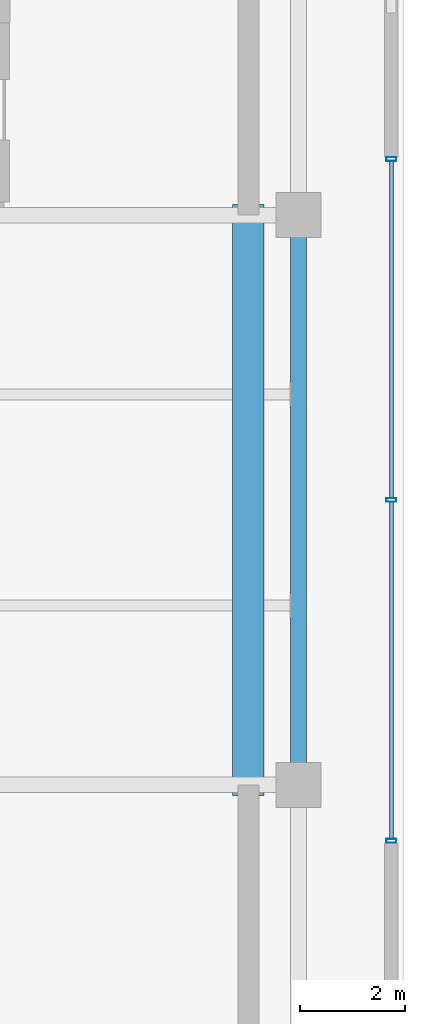
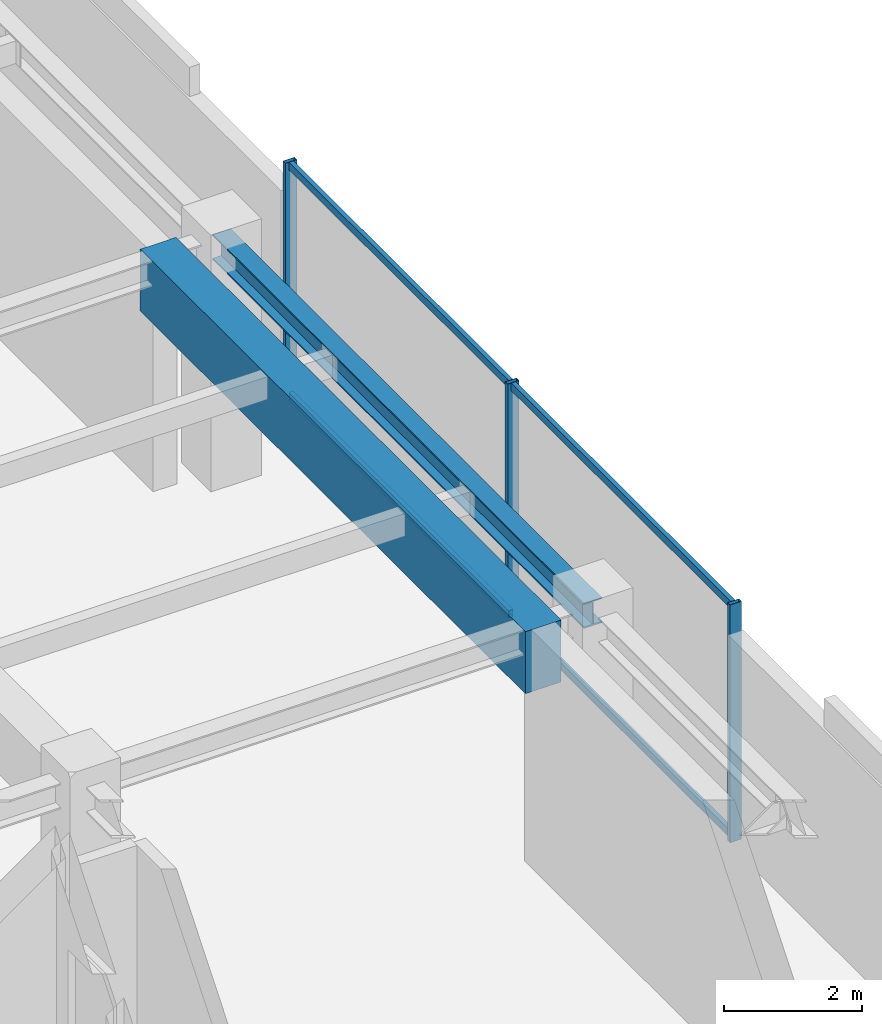
# One storey, part 12 of 21: 7 members, 2 beams, 1 element without a shape of its own.
"""IFC4 building model written with IfcOpenShell, lengths in metres."""

from ifc_helpers import new_model, si_unit, direction, frame, origin, origin_2d, place, context, subcontext, project, spatial, rectangle, hollow_rectangle, i_section, extrude, source, transform, mapped, material, material_profile, profile_set, type_object, element, aggregate, save


model = new_model("IFC4")

# Units and contexts
model_context = context("Model", 3, precision=1e-05, world=origin(), true_north=direction((0.0, 1.0)))
body_context = subcontext(model_context, "Body", "Model", "MODEL_VIEW")
ifc_project = project(units=[si_unit("LENGTHUNIT", "METRE"), si_unit("AREAUNIT", "SQUARE_METRE"), si_unit("VOLUMEUNIT", "CUBIC_METRE"), si_unit("PLANEANGLEUNIT", "RADIAN"), si_unit("MASSUNIT", "GRAM", prefix="KILO")], contexts=[model_context])

# Site, building, storey
site_placement = place(None, origin())
site = spatial("IfcSite", under=ifc_project, at=site_placement, CompositionType="ELEMENT")
building_placement = place(site_placement, origin())
building = spatial("IfcBuilding", under=site, at=building_placement, Name="Nahalor Promenade Grand Hotel", CompositionType="ELEMENT")
storey_placement = place(building_placement, frame((0.0, 0.0, 370.85009765625)))
storey = spatial("IfcBuildingStorey", under=building, at=storey_placement, Name="L94", CompositionType="ELEMENT", Elevation=370.85009765625)

# Beams
ifc_material_1 = material(Name="Concrete B-60 (C50/60)", Category="concrete")
ifc_material_profile_1 = material_profile(ifc_material_1, rectangle(XDim=0.6, YDim=1.1, at=origin_2d()), Name="RC 600x1100")
ifc_profile_set_1 = profile_set([ifc_material_profile_1], Name="Concrete B-60 (C50/60)")
beam_type_1 = type_object("IfcBeamType", Name="Beam-Lintel-RC1100", PredefinedType="LINTEL", material=ifc_profile_set_1)
shared_shape_1 = source(origin(), body_context, "Body", "SweptSolid", [
    extrude(rectangle(XDim=0.6, YDim=1.1, at=origin_2d()), origin(), (0.0, 0.0, 1.0), 11.2001953125),
])
beam_1_placement = place(storey_placement, frame((16.050048828125, -5.60009765625, 3.669921875), z_axis=(0.0, 1.0, 0.0), x_axis=(-1.0, 0.0, 0.0)))
element("IfcBeam", 1, at=beam_1_placement, inside=storey, type_object=beam_type_1, Name="BM-L94-LINT-E", PredefinedType="LINTEL", context=body_context, shape_type="MappedRepresentation", body=[
    mapped(shared_shape_1, transform((0.0, 0.0, 0.0), scale=1.0)),
])
ifc_material_2 = material(Name="Steel S355JR", Category="steel")
ifc_material_profile_2 = material_profile(ifc_material_2, i_section(OverallWidth=0.3, OverallDepth=0.45, WebThickness=0.014, FlangeThickness=0.026, at=origin_2d()), Name="HEB 450")
ifc_profile_set_2 = profile_set([ifc_material_profile_2], Name="Steel S355JR")
beam_type_2 = type_object("IfcBeamType", Name="Beam-Girder-HEB450", PredefinedType="BEAM", material=ifc_profile_set_2)
shared_shape_2 = source(origin(), body_context, "Body", "SweptSolid", [
    extrude(i_section(OverallWidth=0.3, OverallDepth=0.45, WebThickness=0.014, FlangeThickness=0.026, at=origin_2d()), origin(), (0.0, 0.0, 1.0), 10.7998046875),
])
beam_2_placement = place(storey_placement, frame((17.0, -5.39990234375, 3.994873046875), z_axis=(0.0, 1.0, 0.0), x_axis=(-1.0, 0.0, 0.0)))
element("IfcBeam", 2, at=beam_2_placement, inside=storey, type_object=beam_type_2, Name="BM-L94-GY-5-1", PredefinedType="BEAM", context=body_context, shape_type="MappedRepresentation", body=[
    mapped(shared_shape_2, transform((0.0, 0.0, 0.0), scale=1.0)),
])

# Curtain wall, members
ifc_material_3 = material(Name="Anodised Bronze Aluminium EN AW-6063 T6", Category="aluminium")
curtain_wall_type = type_object("IfcCurtainWallType", Name="CW6 Crown Botanical Conservatory Curtain Wall", PredefinedType="USERDEFINED", material=ifc_material_3)
curtain_wall_placement = place(storey_placement, origin())
curtain_wall = element("IfcCurtainWall", 3, at=curtain_wall_placement, inside=storey, type_object=curtain_wall_type, Name="L94 Curtain Wall CW-L94-E", ObjectType="UNITISED_CURTAIN_WALL", PredefinedType="USERDEFINED")
ifc_material_profile_3 = material_profile(ifc_material_3, hollow_rectangle(XDim=0.075, YDim=0.135, WallThickness=0.004, at=origin_2d()), Name="CWT 75x135x4")
ifc_profile_set_3 = profile_set([ifc_material_profile_3], Name="Anodised Bronze Aluminium EN AW-6063 T6")
member_type_1 = type_object("IfcMemberType", Name="CWT6 Conservatory Transom 75x135", PredefinedType="USERDEFINED", material=ifc_profile_set_3)
shared_shape_3 = source(origin(), body_context, "Body", "SweptSolid", [
    extrude(hollow_rectangle(XDim=0.075, YDim=0.135, WallThickness=0.004, at=origin_2d()), origin(), (0.0, 0.0, 1.0), 6.387451171875),
])
member_1_placement = place(storey_placement, frame((18.760009765625, -6.425048828125, 0.0673828125), z_axis=(0.0, 1.0, 0.0), x_axis=(-1.0, 0.0, 0.0)))
member_1 = element("IfcMember", 4, at=member_1_placement, type_object=member_type_1, Name="CW-L94-E Transom 0-0", ObjectType="TRANSOM", PredefinedType="USERDEFINED", context=body_context, shape_type="MappedRepresentation", body=[
    mapped(shared_shape_3, transform((0.0, 0.0, 0.0), scale=1.0)),
])
member_2_placement = place(storey_placement, frame((18.760009765625, -6.425048828125, 4.15234375), z_axis=(0.0, 1.0, 0.0), x_axis=(-1.0, 0.0, 0.0)))
member_2 = element("IfcMember", 5, at=member_2_placement, type_object=member_type_1, Name="CW-L94-E Transom 0-1", ObjectType="TRANSOM", PredefinedType="USERDEFINED", context=body_context, shape_type="MappedRepresentation", body=[
    mapped(shared_shape_3, transform((0.0, 0.0, 0.0), scale=1.0)),
])
member_3_placement = place(storey_placement, frame((18.760009765625, 0.03759765625, 0.0673828125), z_axis=(0.0, 1.0, 0.0), x_axis=(-1.0, 0.0, 0.0)))
member_3 = element("IfcMember", 6, at=member_3_placement, type_object=member_type_1, Name="CW-L94-E Transom 1-0", ObjectType="TRANSOM", PredefinedType="USERDEFINED", context=body_context, shape_type="MappedRepresentation", body=[
    mapped(shared_shape_3, transform((0.0, 0.0, 0.0), scale=1.0)),
])
member_4_placement = place(storey_placement, frame((18.760009765625, 0.03759765625, 4.15234375), z_axis=(0.0, 1.0, 0.0), x_axis=(-1.0, 0.0, 0.0)))
member_4 = element("IfcMember", 7, at=member_4_placement, type_object=member_type_1, Name="CW-L94-E Transom 1-1", ObjectType="TRANSOM", PredefinedType="USERDEFINED", context=body_context, shape_type="MappedRepresentation", body=[
    mapped(shared_shape_3, transform((0.0, 0.0, 0.0), scale=1.0)),
])
ifc_material_profile_4 = material_profile(ifc_material_3, hollow_rectangle(XDim=0.075, YDim=0.19, WallThickness=0.005, at=origin_2d()), Name="CWM 75x190x5")
ifc_profile_set_4 = profile_set([ifc_material_profile_4], Name="Anodised Bronze Aluminium EN AW-6063 T6")
member_type_2 = type_object("IfcMemberType", Name="CWM6 Conservatory Bronze Mullion 75x190", PredefinedType="MULLION", material=ifc_profile_set_4)
shared_shape_4 = source(origin(), body_context, "Body", "SweptSolid", [
    extrude(hollow_rectangle(XDim=0.075, YDim=0.19, WallThickness=0.005, at=origin_2d()), origin(), (0.0, 0.0, 1.0), 4.219970703125),
])
member_5_placement = place(storey_placement, frame((18.760009765625, -6.46240234375, 0.0), z_axis=(0.0, 0.0, 1.0), x_axis=(0.0, 1.0, 0.0)))
member_5 = element("IfcMember", 8, at=member_5_placement, type_object=member_type_2, Name="CW-L94-E Mullion 0", PredefinedType="MULLION", context=body_context, shape_type="MappedRepresentation", body=[
    mapped(shared_shape_4, transform((0.0, 0.0, 0.0), scale=1.0)),
])
member_6_placement = place(storey_placement, frame((18.760009765625, 0.0, 0.0), z_axis=(0.0, 0.0, 1.0), x_axis=(0.0, 1.0, 0.0)))
member_6 = element("IfcMember", 9, at=member_6_placement, type_object=member_type_2, Name="CW-L94-E Mullion 1", PredefinedType="MULLION", context=body_context, shape_type="MappedRepresentation", body=[
    mapped(shared_shape_4, transform((0.0, 0.0, 0.0), scale=1.0)),
])
member_7_placement = place(storey_placement, frame((18.760009765625, 6.46240234375, 0.0), z_axis=(0.0, 0.0, 1.0), x_axis=(0.0, 1.0, 0.0)))
member_7 = element("IfcMember", 10, at=member_7_placement, type_object=member_type_2, Name="CW-L94-E Mullion 2", PredefinedType="MULLION", context=body_context, shape_type="MappedRepresentation", body=[
    mapped(shared_shape_4, transform((0.0, 0.0, 0.0), scale=1.0)),
])
aggregate(curtain_wall, [member_5, member_6, member_7, member_1, member_2, member_3, member_4])

save(model, "model.ifc")
